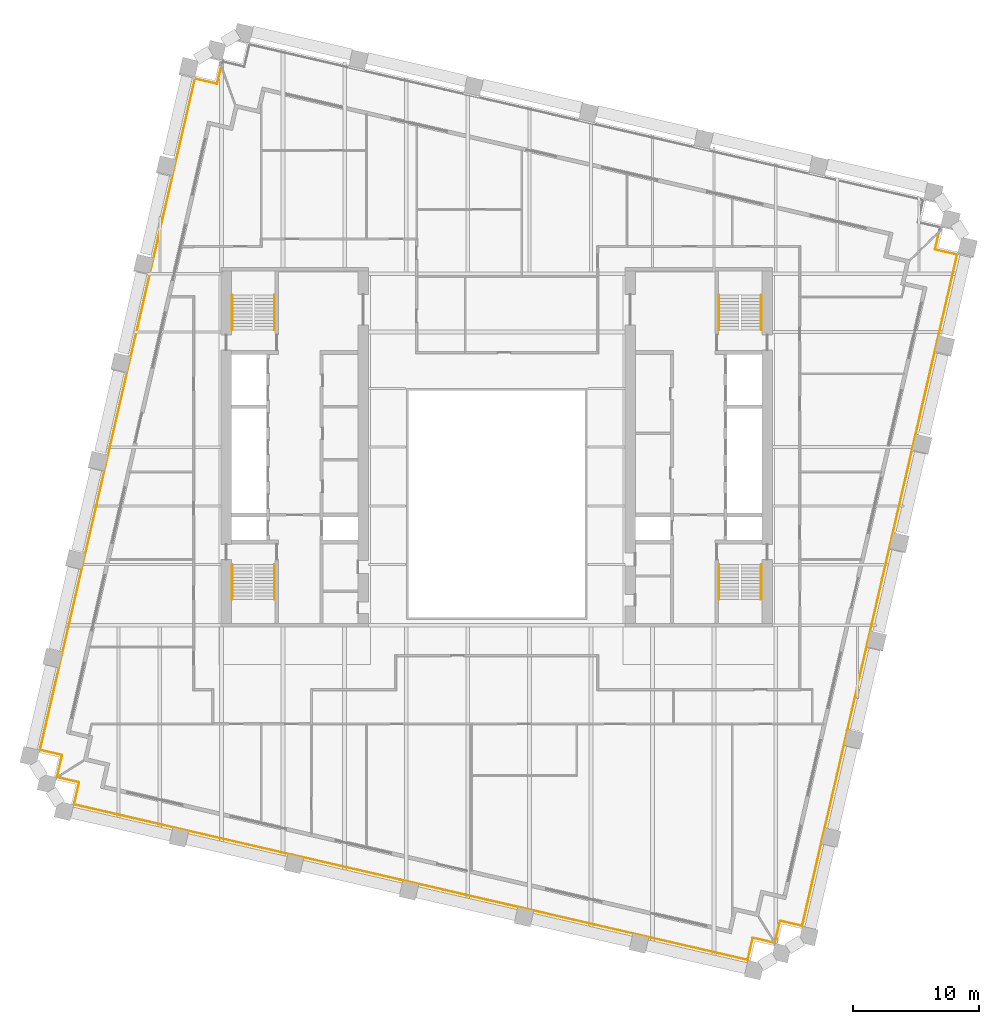
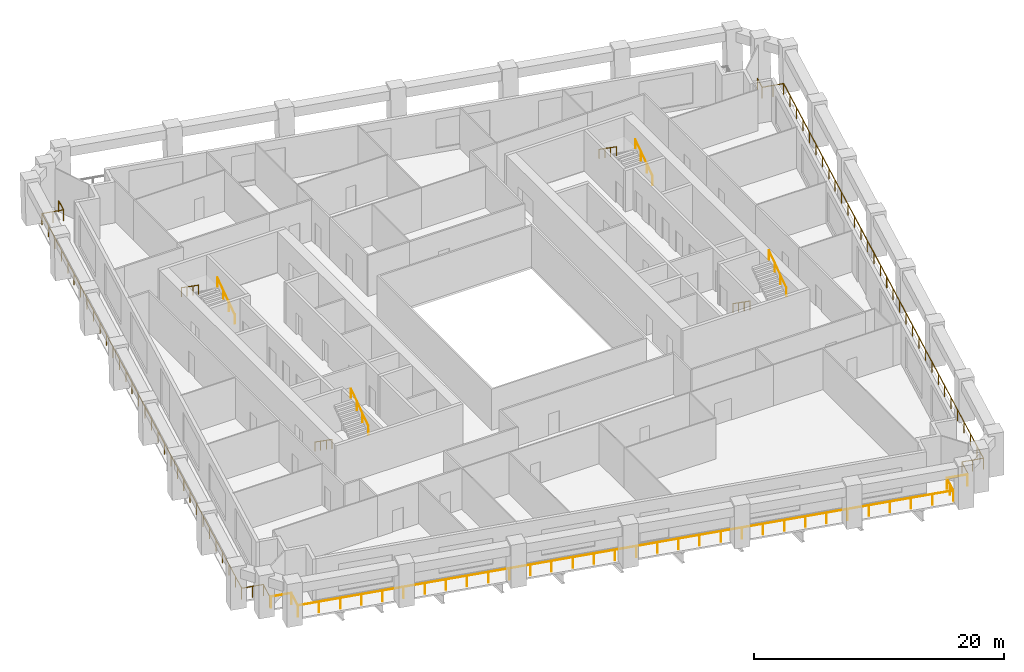
# One storey, part 9 of 10: 11 railings.
"""IFC4 building model written with IfcOpenShell, lengths in metres."""

from ifc_helpers import new_model, si_unit, direction, frame, origin, origin_2d, place, context, subcontext, project, spatial, circle, extrude, material, type_object, element, save


model = new_model("IFC4")

# Units and contexts
model_context = context("Model", 3, precision=1e-05, world=origin(), true_north=direction((0.0, 1.0)))
body_context = subcontext(model_context, "Body", "Model", "MODEL_VIEW")
ifc_project = project(units=[si_unit("LENGTHUNIT", "METRE"), si_unit("AREAUNIT", "SQUARE_METRE"), si_unit("VOLUMEUNIT", "CUBIC_METRE"), si_unit("PLANEANGLEUNIT", "RADIAN"), si_unit("MASSUNIT", "GRAM", prefix="KILO")], contexts=[model_context])

# Site, building, storey
site_placement = place(None, origin())
site = spatial("IfcSite", under=ifc_project, at=site_placement, CompositionType="ELEMENT")
building_placement = place(site_placement, origin())
building = spatial("IfcBuilding", under=site, at=building_placement, Name="Ogive Exchange Tower", CompositionType="ELEMENT")
storey_placement = place(building_placement, frame((0.0, 0.0, 114.0)))
storey = spatial("IfcBuildingStorey", under=building, at=storey_placement, Name="L24", CompositionType="ELEMENT", Elevation=114.0)

# Railings
ifc_material_1 = material(Name="Stainless steel 316", Category="steel")
railing_type_1 = type_object("IfcRailingType", Name="Guard 1100 stainless steel and glass", PredefinedType="GUARDRAIL", material=ifc_material_1)
railing_1_placement = place(storey_placement, frame((21.947265625, -27.74462890625, -0.050048828125)))
element("IfcRailing", 1, at=railing_1_placement, inside=storey, type_object=railing_type_1, Name="Loggia guard 1", PredefinedType="GUARDRAIL", context=body_context, shape_type="SweptSolid", body=[
    extrude(circle(Radius=0.02392578125, at=origin_2d()), frame((0.0, 0.0, 1.076171875), z_axis=(-0.974396013545, 0.224838628327, 0.0), x_axis=(-0.224838628327, -0.974396013545, 0.0)), (0.0, 0.0, 1.0), 1.7080078125),
    extrude(circle(Radius=0.02392578125, at=origin_2d()), frame((-1.664306640625, 0.384033203125, 1.076171875), z_axis=(-0.225008086135, -0.974356896201, 0.0), x_axis=(0.974356896201, -0.225008086135, 0.0)), (0.0, 0.0, 1.0), 1.800048828125),
    extrude(circle(Radius=0.02392578125, at=origin_2d()), frame((-2.0693359375, -1.369873046875, 1.076171875), z_axis=(-0.974368873975, 0.224956212247, 0.0), x_axis=(-0.224956212247, -0.974368873975, 0.0)), (0.0, 0.0, 1.0), 54.760009765625),
    extrude(circle(Radius=0.02392578125, at=origin_2d()), frame((-55.42578125, 10.94873046875, 1.076171875), z_axis=(0.22503782496, 0.974350028141, 0.0), x_axis=(-0.974350028141, 0.22503782496, 0.0)), (0.0, 0.0, 1.0), 1.7998046875),
    extrude(circle(Radius=0.02392578125, at=origin_2d()), frame((-55.020751953125, 12.702392578125, 1.076171875), z_axis=(-0.974364690374, 0.224974332206, 0.0), x_axis=(-0.224974332206, -0.974364690374, 0.0)), (0.0, 0.0, 1.0), 1.7080078125),
    extrude(circle(Radius=0.02099609375, at=origin_2d()), origin(), (0.0, 0.0, 1.0), 1.052001953125),
    extrude(circle(Radius=0.02099609375, at=origin_2d()), frame((-1.664306640625, 0.384033203125, 0.0)), (0.0, 0.0, 1.0), 1.052001953125),
    extrude(circle(Radius=0.02099609375, at=origin_2d()), frame((-1.86669921875, -0.492919921875, 0.0)), (0.0, 0.0, 1.0), 1.052001953125),
    extrude(circle(Radius=0.02099609375, at=origin_2d()), frame((-2.0693359375, -1.369873046875, 0.0)), (0.0, 0.0, 1.0), 1.052001953125),
    extrude(circle(Radius=0.02099609375, at=origin_2d()), frame((-3.79052734375, -0.972412109375, 0.0)), (0.0, 0.0, 1.0), 1.052001953125),
    extrude(circle(Radius=0.02099609375, at=origin_2d()), frame((-5.51171875, -0.5751953125, 0.0)), (0.0, 0.0, 1.0), 1.052001953125),
    extrude(circle(Radius=0.02099609375, at=origin_2d()), frame((-7.23291015625, -0.177734375, 0.0)), (0.0, 0.0, 1.0), 1.052001953125),
    extrude(circle(Radius=0.02099609375, at=origin_2d()), frame((-8.9541015625, 0.2197265625, 0.0)), (0.0, 0.0, 1.0), 1.052001953125),
    extrude(circle(Radius=0.02099609375, at=origin_2d()), frame((-10.67529296875, 0.616943359375, 0.0)), (0.0, 0.0, 1.0), 1.052001953125),
    extrude(circle(Radius=0.02099609375, at=origin_2d()), frame((-12.396484375, 1.014404296875, 0.0)), (0.0, 0.0, 1.0), 1.052001953125),
    extrude(circle(Radius=0.02099609375, at=origin_2d()), frame((-14.11767578125, 1.411865234375, 0.0)), (0.0, 0.0, 1.0), 1.052001953125),
    extrude(circle(Radius=0.02099609375, at=origin_2d()), frame((-15.838623046875, 1.80908203125, 0.0)), (0.0, 0.0, 1.0), 1.052001953125),
    extrude(circle(Radius=0.02099609375, at=origin_2d()), frame((-17.559814453125, 2.20654296875, 0.0)), (0.0, 0.0, 1.0), 1.052001953125),
    extrude(circle(Radius=0.02099609375, at=origin_2d()), frame((-19.281005859375, 2.603759765625, 0.0)), (0.0, 0.0, 1.0), 1.052001953125),
    extrude(circle(Radius=0.02099609375, at=origin_2d()), frame((-21.002197265625, 3.001220703125, 0.0)), (0.0, 0.0, 1.0), 1.052001953125),
    extrude(circle(Radius=0.02099609375, at=origin_2d()), frame((-22.723388671875, 3.398681640625, 0.0)), (0.0, 0.0, 1.0), 1.052001953125),
    extrude(circle(Radius=0.02099609375, at=origin_2d()), frame((-24.444580078125, 3.7958984375, 0.0)), (0.0, 0.0, 1.0), 1.052001953125),
    extrude(circle(Radius=0.02099609375, at=origin_2d()), frame((-26.165771484375, 4.193359375, 0.0)), (0.0, 0.0, 1.0), 1.052001953125),
    extrude(circle(Radius=0.02099609375, at=origin_2d()), frame((-27.886962890625, 4.5908203125, 0.0)), (0.0, 0.0, 1.0), 1.052001953125),
    extrude(circle(Radius=0.02099609375, at=origin_2d()), frame((-29.608154296875, 4.988037109375, 0.0)), (0.0, 0.0, 1.0), 1.052001953125),
    extrude(circle(Radius=0.02099609375, at=origin_2d()), frame((-31.329345703125, 5.385498046875, 0.0)), (0.0, 0.0, 1.0), 1.052001953125),
    extrude(circle(Radius=0.02099609375, at=origin_2d()), frame((-33.050537109375, 5.782958984375, 0.0)), (0.0, 0.0, 1.0), 1.052001953125),
    extrude(circle(Radius=0.02099609375, at=origin_2d()), frame((-34.771728515625, 6.18017578125, 0.0)), (0.0, 0.0, 1.0), 1.052001953125),
    extrude(circle(Radius=0.02099609375, at=origin_2d()), frame((-36.492919921875, 6.57763671875, 0.0)), (0.0, 0.0, 1.0), 1.052001953125),
    extrude(circle(Radius=0.02099609375, at=origin_2d()), frame((-38.214111328125, 6.97509765625, 0.0)), (0.0, 0.0, 1.0), 1.052001953125),
    extrude(circle(Radius=0.02099609375, at=origin_2d()), frame((-39.935302734375, 7.372314453125, 0.0)), (0.0, 0.0, 1.0), 1.052001953125),
    extrude(circle(Radius=0.02099609375, at=origin_2d()), frame((-41.656494140625, 7.769775390625, 0.0)), (0.0, 0.0, 1.0), 1.052001953125),
    extrude(circle(Radius=0.02099609375, at=origin_2d()), frame((-43.37744140625, 8.1669921875, 0.0)), (0.0, 0.0, 1.0), 1.052001953125),
    extrude(circle(Radius=0.02099609375, at=origin_2d()), frame((-45.0986328125, 8.564453125, 0.0)), (0.0, 0.0, 1.0), 1.052001953125),
    extrude(circle(Radius=0.02099609375, at=origin_2d()), frame((-46.81982421875, 8.9619140625, 0.0)), (0.0, 0.0, 1.0), 1.052001953125),
    extrude(circle(Radius=0.02099609375, at=origin_2d()), frame((-48.541015625, 9.359130859375, 0.0)), (0.0, 0.0, 1.0), 1.052001953125),
    extrude(circle(Radius=0.02099609375, at=origin_2d()), frame((-50.26220703125, 9.756591796875, 0.0)), (0.0, 0.0, 1.0), 1.052001953125),
    extrude(circle(Radius=0.02099609375, at=origin_2d()), frame((-51.9833984375, 10.154052734375, 0.0)), (0.0, 0.0, 1.0), 1.052001953125),
    extrude(circle(Radius=0.02099609375, at=origin_2d()), frame((-53.70458984375, 10.55126953125, 0.0)), (0.0, 0.0, 1.0), 1.052001953125),
    extrude(circle(Radius=0.02099609375, at=origin_2d()), frame((-55.42578125, 10.94873046875, 0.0)), (0.0, 0.0, 1.0), 1.052001953125),
    extrude(circle(Radius=0.02099609375, at=origin_2d()), frame((-55.020751953125, 12.702392578125, 0.0)), (0.0, 0.0, 1.0), 1.052001953125),
    extrude(circle(Radius=0.02099609375, at=origin_2d()), frame((-56.68505859375, 13.086669921875, 0.0)), (0.0, 0.0, 1.0), 1.052001953125),
])
railing_2_placement = place(storey_placement, frame((-34.806884765625, -14.547607421875, -0.050048828125)))
element("IfcRailing", 2, at=railing_2_placement, inside=storey, type_object=railing_type_1, Name="Loggia guard 2", PredefinedType="GUARDRAIL", context=body_context, shape_type="SweptSolid", body=[
    extrude(circle(Radius=0.02392578125, at=origin_2d()), frame((0.0, 0.0, 1.076171875), z_axis=(0.224974332206, 0.974364690374, 0.0), x_axis=(-0.974364690374, 0.224974332206, 0.0)), (0.0, 0.0, 1.0), 1.7080078125),
    extrude(circle(Radius=0.02392578125, at=origin_2d()), frame((0.38427734375, 1.664306640625, 1.076171875), z_axis=(-0.974386623598, 0.224879318197, 0.0), x_axis=(-0.224879318197, -0.974386623598, 0.0)), (0.0, 0.0, 1.0), 1.800048828125),
    extrude(circle(Radius=0.02392578125, at=origin_2d()), frame((-1.36962890625, 2.069091796875, 1.076171875), z_axis=(0.224951649547, 0.974369927372, 0.0), x_axis=(-0.974369927372, 0.224951649547, 0.0)), (0.0, 0.0, 1.0), 54.569091796875),
    extrude(circle(Radius=0.02392578125, at=origin_2d()), frame((10.90576171875, 55.239501953125, 1.076171875), z_axis=(0.974386623598, -0.224879318197, 0.0), x_axis=(0.224879318197, 0.974386623598, 0.0)), (0.0, 0.0, 1.0), 1.800048828125),
    extrude(circle(Radius=0.02392578125, at=origin_2d()), frame((12.65966796875, 54.834716796875, 1.076171875), z_axis=(0.225022218484, 0.974353632512, 0.0), x_axis=(-0.974353632512, 0.225022218484, 0.0)), (0.0, 0.0, 1.0), 1.31494140625),
    extrude(circle(Radius=0.02099609375, at=origin_2d()), origin(), (0.0, 0.0, 1.0), 1.052001953125),
    extrude(circle(Radius=0.02099609375, at=origin_2d()), frame((0.38427734375, 1.664306640625, 0.0)), (0.0, 0.0, 1.0), 1.052001953125),
    extrude(circle(Radius=0.02099609375, at=origin_2d()), frame((-0.49267578125, 1.86669921875, 0.0)), (0.0, 0.0, 1.0), 1.052001953125),
    extrude(circle(Radius=0.02099609375, at=origin_2d()), frame((-1.36962890625, 2.069091796875, 0.0)), (0.0, 0.0, 1.0), 1.052001953125),
    extrude(circle(Radius=0.02099609375, at=origin_2d()), frame((-0.9736328125, 3.7841796875, 0.0)), (0.0, 0.0, 1.0), 1.052001953125),
    extrude(circle(Radius=0.02099609375, at=origin_2d()), frame((-0.57763671875, 5.49951171875, 0.0)), (0.0, 0.0, 1.0), 1.052001953125),
    extrude(circle(Radius=0.02099609375, at=origin_2d()), frame((-0.181640625, 7.214599609375, 0.0)), (0.0, 0.0, 1.0), 1.052001953125),
    extrude(circle(Radius=0.02099609375, at=origin_2d()), frame((0.21435546875, 8.9296875, 0.0)), (0.0, 0.0, 1.0), 1.052001953125),
    extrude(circle(Radius=0.02099609375, at=origin_2d()), frame((0.6103515625, 10.64501953125, 0.0)), (0.0, 0.0, 1.0), 1.052001953125),
    extrude(circle(Radius=0.02099609375, at=origin_2d()), frame((1.00634765625, 12.360107421875, 0.0)), (0.0, 0.0, 1.0), 1.052001953125),
    extrude(circle(Radius=0.02099609375, at=origin_2d()), frame((1.40234375, 14.0751953125, 0.0)), (0.0, 0.0, 1.0), 1.052001953125),
    extrude(circle(Radius=0.02099609375, at=origin_2d()), frame((1.798095703125, 15.79052734375, 0.0)), (0.0, 0.0, 1.0), 1.052001953125),
    extrude(circle(Radius=0.02099609375, at=origin_2d()), frame((2.194091796875, 17.505615234375, 0.0)), (0.0, 0.0, 1.0), 1.052001953125),
    extrude(circle(Radius=0.02099609375, at=origin_2d()), frame((2.590087890625, 19.220947265625, 0.0)), (0.0, 0.0, 1.0), 1.052001953125),
    extrude(circle(Radius=0.02099609375, at=origin_2d()), frame((2.986083984375, 20.93603515625, 0.0)), (0.0, 0.0, 1.0), 1.052001953125),
    extrude(circle(Radius=0.02099609375, at=origin_2d()), frame((3.382080078125, 22.651123046875, 0.0)), (0.0, 0.0, 1.0), 1.052001953125),
    extrude(circle(Radius=0.02099609375, at=origin_2d()), frame((3.778076171875, 24.366455078125, 0.0)), (0.0, 0.0, 1.0), 1.052001953125),
    extrude(circle(Radius=0.02099609375, at=origin_2d()), frame((4.174072265625, 26.08154296875, 0.0)), (0.0, 0.0, 1.0), 1.052001953125),
    extrude(circle(Radius=0.02099609375, at=origin_2d()), frame((4.570068359375, 27.796630859375, 0.0)), (0.0, 0.0, 1.0), 1.052001953125),
    extrude(circle(Radius=0.02099609375, at=origin_2d()), frame((4.966064453125, 29.511962890625, 0.0)), (0.0, 0.0, 1.0), 1.052001953125),
    extrude(circle(Radius=0.02099609375, at=origin_2d()), frame((5.362060546875, 31.22705078125, 0.0)), (0.0, 0.0, 1.0), 1.052001953125),
    extrude(circle(Radius=0.02099609375, at=origin_2d()), frame((5.758056640625, 32.942138671875, 0.0)), (0.0, 0.0, 1.0), 1.052001953125),
    extrude(circle(Radius=0.02099609375, at=origin_2d()), frame((6.154052734375, 34.657470703125, 0.0)), (0.0, 0.0, 1.0), 1.052001953125),
    extrude(circle(Radius=0.02099609375, at=origin_2d()), frame((6.550048828125, 36.37255859375, 0.0)), (0.0, 0.0, 1.0), 1.052001953125),
    extrude(circle(Radius=0.02099609375, at=origin_2d()), frame((6.946044921875, 38.087646484375, 0.0)), (0.0, 0.0, 1.0), 1.052001953125),
    extrude(circle(Radius=0.02099609375, at=origin_2d()), frame((7.342041015625, 39.802978515625, 0.0)), (0.0, 0.0, 1.0), 1.052001953125),
    extrude(circle(Radius=0.02099609375, at=origin_2d()), frame((7.738037109375, 41.51806640625, 0.0)), (0.0, 0.0, 1.0), 1.052001953125),
    extrude(circle(Radius=0.02099609375, at=origin_2d()), frame((8.1337890625, 43.2333984375, 0.0)), (0.0, 0.0, 1.0), 1.052001953125),
    extrude(circle(Radius=0.02099609375, at=origin_2d()), frame((8.52978515625, 44.948486328125, 0.0)), (0.0, 0.0, 1.0), 1.052001953125),
    extrude(circle(Radius=0.02099609375, at=origin_2d()), frame((8.92578125, 46.66357421875, 0.0)), (0.0, 0.0, 1.0), 1.052001953125),
    extrude(circle(Radius=0.02099609375, at=origin_2d()), frame((9.32177734375, 48.37890625, 0.0)), (0.0, 0.0, 1.0), 1.052001953125),
    extrude(circle(Radius=0.02099609375, at=origin_2d()), frame((9.7177734375, 50.093994140625, 0.0)), (0.0, 0.0, 1.0), 1.052001953125),
    extrude(circle(Radius=0.02099609375, at=origin_2d()), frame((10.11376953125, 51.80908203125, 0.0)), (0.0, 0.0, 1.0), 1.052001953125),
    extrude(circle(Radius=0.02099609375, at=origin_2d()), frame((10.509765625, 53.5244140625, 0.0)), (0.0, 0.0, 1.0), 1.052001953125),
    extrude(circle(Radius=0.02099609375, at=origin_2d()), frame((10.90576171875, 55.239501953125, 0.0)), (0.0, 0.0, 1.0), 1.052001953125),
    extrude(circle(Radius=0.02099609375, at=origin_2d()), frame((11.78271484375, 55.037109375, 0.0)), (0.0, 0.0, 1.0), 1.052001953125),
    extrude(circle(Radius=0.02099609375, at=origin_2d()), frame((12.65966796875, 54.834716796875, 0.0)), (0.0, 0.0, 1.0), 1.052001953125),
    extrude(circle(Radius=0.02099609375, at=origin_2d()), frame((12.95556640625, 56.115966796875, 0.0)), (0.0, 0.0, 1.0), 1.052001953125),
])
railing_3_placement = place(storey_placement, frame((35.0126953125, 28.440185546875, -0.050048828125)))
element("IfcRailing", 3, at=railing_3_placement, inside=storey, type_object=railing_type_1, Name="Loggia guard 4", PredefinedType="GUARDRAIL", context=body_context, shape_type="SweptSolid", body=[
    extrude(circle(Radius=0.02392578125, at=origin_2d()), frame((0.0, 0.0, 1.076171875), z_axis=(-0.224845946534, -0.974394324864, 0.0), x_axis=(0.974394324864, -0.224845946534, 0.0)), (0.0, 0.0, 1.0), 1.31494140625),
    extrude(circle(Radius=0.02392578125, at=origin_2d()), frame((-0.295654296875, -1.28125, 1.076171875), z_axis=(0.974356896201, -0.225008086135, 0.0), x_axis=(0.225008086135, 0.974356896201, 0.0)), (0.0, 0.0, 1.0), 1.800048828125),
    extrude(circle(Radius=0.02392578125, at=origin_2d()), frame((1.458251953125, -1.686279296875, 1.076171875), z_axis=(-0.224951649547, -0.974369927372, 0.0), x_axis=(0.974369927372, -0.224951649547, 0.0)), (0.0, 0.0, 1.0), 54.569091796875),
    extrude(circle(Radius=0.02392578125, at=origin_2d()), frame((-10.817138671875, -54.856689453125, 1.076171875), z_axis=(-0.974356896201, 0.225008086135, 0.0), x_axis=(-0.225008086135, -0.974356896201, 0.0)), (0.0, 0.0, 1.0), 1.800048828125),
    extrude(circle(Radius=0.02392578125, at=origin_2d()), frame((-12.571044921875, -54.45166015625, 1.076171875), z_axis=(-0.224974332206, -0.974364690374, 0.0), x_axis=(0.974364690374, -0.224974332206, 0.0)), (0.0, 0.0, 1.0), 1.7080078125),
    extrude(circle(Radius=0.02099609375, at=origin_2d()), origin(), (0.0, 0.0, 1.0), 1.052001953125),
    extrude(circle(Radius=0.02099609375, at=origin_2d()), frame((-0.295654296875, -1.28125, 0.0)), (0.0, 0.0, 1.0), 1.052001953125),
    extrude(circle(Radius=0.02099609375, at=origin_2d()), frame((0.581298828125, -1.48388671875, 0.0)), (0.0, 0.0, 1.0), 1.052001953125),
    extrude(circle(Radius=0.02099609375, at=origin_2d()), frame((1.458251953125, -1.686279296875, 0.0)), (0.0, 0.0, 1.0), 1.052001953125),
    extrude(circle(Radius=0.02099609375, at=origin_2d()), frame((1.062255859375, -3.4013671875, 0.0)), (0.0, 0.0, 1.0), 1.052001953125),
    extrude(circle(Radius=0.02099609375, at=origin_2d()), frame((0.666259765625, -5.11669921875, 0.0)), (0.0, 0.0, 1.0), 1.052001953125),
    extrude(circle(Radius=0.02099609375, at=origin_2d()), frame((0.270263671875, -6.831787109375, 0.0)), (0.0, 0.0, 1.0), 1.052001953125),
    extrude(circle(Radius=0.02099609375, at=origin_2d()), frame((-0.125732421875, -8.546875, 0.0)), (0.0, 0.0, 1.0), 1.052001953125),
    extrude(circle(Radius=0.02099609375, at=origin_2d()), frame((-0.521728515625, -10.26220703125, 0.0)), (0.0, 0.0, 1.0), 1.052001953125),
    extrude(circle(Radius=0.02099609375, at=origin_2d()), frame((-0.917724609375, -11.977294921875, 0.0)), (0.0, 0.0, 1.0), 1.052001953125),
    extrude(circle(Radius=0.02099609375, at=origin_2d()), frame((-1.313720703125, -13.6923828125, 0.0)), (0.0, 0.0, 1.0), 1.052001953125),
    extrude(circle(Radius=0.02099609375, at=origin_2d()), frame((-1.70947265625, -15.40771484375, 0.0)), (0.0, 0.0, 1.0), 1.052001953125),
    extrude(circle(Radius=0.02099609375, at=origin_2d()), frame((-2.10546875, -17.122802734375, 0.0)), (0.0, 0.0, 1.0), 1.052001953125),
    extrude(circle(Radius=0.02099609375, at=origin_2d()), frame((-2.50146484375, -18.838134765625, 0.0)), (0.0, 0.0, 1.0), 1.052001953125),
    extrude(circle(Radius=0.02099609375, at=origin_2d()), frame((-2.8974609375, -20.55322265625, 0.0)), (0.0, 0.0, 1.0), 1.052001953125),
    extrude(circle(Radius=0.02099609375, at=origin_2d()), frame((-3.29345703125, -22.268310546875, 0.0)), (0.0, 0.0, 1.0), 1.052001953125),
    extrude(circle(Radius=0.02099609375, at=origin_2d()), frame((-3.689453125, -23.983642578125, 0.0)), (0.0, 0.0, 1.0), 1.052001953125),
    extrude(circle(Radius=0.02099609375, at=origin_2d()), frame((-4.08544921875, -25.69873046875, 0.0)), (0.0, 0.0, 1.0), 1.052001953125),
    extrude(circle(Radius=0.02099609375, at=origin_2d()), frame((-4.4814453125, -27.413818359375, 0.0)), (0.0, 0.0, 1.0), 1.052001953125),
    extrude(circle(Radius=0.02099609375, at=origin_2d()), frame((-4.87744140625, -29.129150390625, 0.0)), (0.0, 0.0, 1.0), 1.052001953125),
    extrude(circle(Radius=0.02099609375, at=origin_2d()), frame((-5.2734375, -30.84423828125, 0.0)), (0.0, 0.0, 1.0), 1.052001953125),
    extrude(circle(Radius=0.02099609375, at=origin_2d()), frame((-5.66943359375, -32.559326171875, 0.0)), (0.0, 0.0, 1.0), 1.052001953125),
    extrude(circle(Radius=0.02099609375, at=origin_2d()), frame((-6.0654296875, -34.274658203125, 0.0)), (0.0, 0.0, 1.0), 1.052001953125),
    extrude(circle(Radius=0.02099609375, at=origin_2d()), frame((-6.46142578125, -35.98974609375, 0.0)), (0.0, 0.0, 1.0), 1.052001953125),
    extrude(circle(Radius=0.02099609375, at=origin_2d()), frame((-6.857421875, -37.704833984375, 0.0)), (0.0, 0.0, 1.0), 1.052001953125),
    extrude(circle(Radius=0.02099609375, at=origin_2d()), frame((-7.25341796875, -39.420166015625, 0.0)), (0.0, 0.0, 1.0), 1.052001953125),
    extrude(circle(Radius=0.02099609375, at=origin_2d()), frame((-7.6494140625, -41.13525390625, 0.0)), (0.0, 0.0, 1.0), 1.052001953125),
    extrude(circle(Radius=0.02099609375, at=origin_2d()), frame((-8.045166015625, -42.8505859375, 0.0)), (0.0, 0.0, 1.0), 1.052001953125),
    extrude(circle(Radius=0.02099609375, at=origin_2d()), frame((-8.441162109375, -44.565673828125, 0.0)), (0.0, 0.0, 1.0), 1.052001953125),
    extrude(circle(Radius=0.02099609375, at=origin_2d()), frame((-8.837158203125, -46.28076171875, 0.0)), (0.0, 0.0, 1.0), 1.052001953125),
    extrude(circle(Radius=0.02099609375, at=origin_2d()), frame((-9.233154296875, -47.99609375, 0.0)), (0.0, 0.0, 1.0), 1.052001953125),
    extrude(circle(Radius=0.02099609375, at=origin_2d()), frame((-9.629150390625, -49.711181640625, 0.0)), (0.0, 0.0, 1.0), 1.052001953125),
    extrude(circle(Radius=0.02099609375, at=origin_2d()), frame((-10.025146484375, -51.42626953125, 0.0)), (0.0, 0.0, 1.0), 1.052001953125),
    extrude(circle(Radius=0.02099609375, at=origin_2d()), frame((-10.421142578125, -53.1416015625, 0.0)), (0.0, 0.0, 1.0), 1.052001953125),
    extrude(circle(Radius=0.02099609375, at=origin_2d()), frame((-10.817138671875, -54.856689453125, 0.0)), (0.0, 0.0, 1.0), 1.052001953125),
    extrude(circle(Radius=0.02099609375, at=origin_2d()), frame((-11.694091796875, -54.654296875, 0.0)), (0.0, 0.0, 1.0), 1.052001953125),
    extrude(circle(Radius=0.02099609375, at=origin_2d()), frame((-12.571044921875, -54.45166015625, 0.0)), (0.0, 0.0, 1.0), 1.052001953125),
    extrude(circle(Radius=0.02099609375, at=origin_2d()), frame((-12.955322265625, -56.115966796875, 0.0)), (0.0, 0.0, 1.0), 1.052001953125),
])
ifc_material_2 = material(Name="Stainless steel", Category="steel")
railing_type_2 = type_object("IfcRailingType", Name="Stair handrail 900", PredefinedType="HANDRAIL", material=ifc_material_2)
railing_4_placement = place(storey_placement, frame((-20.949951171875, 2.199951171875, 0.175048828125)))
element("IfcRailing", 4, at=railing_4_placement, inside=storey, type_object=railing_type_2, Name="L24 ST1 stair handrail 1", PredefinedType="HANDRAIL", context=body_context, shape_type="SweptSolid", body=[
    extrude(circle(Radius=0.02392578125, at=origin_2d()), frame((0.0, 0.0, 0.8759765625), z_axis=(0.0, -0.819225086817, 0.573472106672), x_axis=(1.0, 0.0, 0.0)), (0.0, 0.0, 1.0), 3.35693359375),
    extrude(circle(Radius=0.02099609375, at=origin_2d()), origin(), (0.0, 0.0, 1.0), 0.851806640625),
    extrude(circle(Radius=0.02099609375, at=origin_2d()), frame((0.0, -0.916748046875, 0.6416015625)), (0.0, 0.0, 1.0), 0.851806640625),
    extrude(circle(Radius=0.02099609375, at=origin_2d()), frame((0.0, -1.833251953125, 1.283447265625)), (0.0, 0.0, 1.0), 0.851806640625),
    extrude(circle(Radius=0.02099609375, at=origin_2d()), frame((0.0, -2.75, 1.925048828125)), (0.0, 0.0, 1.0), 0.851806640625),
])
for number, where, name in (
    (5, (-17.60009765625, -0.550048828125, 2.27490234375), "L24 ST1 stair handrail 2"),
    (6, (-17.60009765625, 20.800048828125, 0.175048828125), "L24 ST2 stair handrail 1"),
):
    element("IfcRailing", number, at=place(storey_placement, frame(where)), inside=storey, type_object=railing_type_2, Name=name, PredefinedType="HANDRAIL", context=body_context, shape_type="SweptSolid", body=[
        extrude(circle(Radius=0.02392578125, at=origin_2d()), frame((0.0, 0.0, 0.8759765625), z_axis=(0.0, 0.819225086817, 0.573472106672), x_axis=(-1.0, 0.0, 0.0)), (0.0, 0.0, 1.0), 3.35693359375),
        extrude(circle(Radius=0.02099609375, at=origin_2d()), origin(), (0.0, 0.0, 1.0), 0.851806640625),
        extrude(circle(Radius=0.02099609375, at=origin_2d()), frame((0.0, 0.916748046875, 0.6416015625)), (0.0, 0.0, 1.0), 0.851806640625),
        extrude(circle(Radius=0.02099609375, at=origin_2d()), frame((0.0, 1.833251953125, 1.283447265625)), (0.0, 0.0, 1.0), 0.851806640625),
        extrude(circle(Radius=0.02099609375, at=origin_2d()), frame((0.0, 2.75, 1.925048828125)), (0.0, 0.0, 1.0), 0.851806640625),
    ])
for number, where, name in (
    (7, (-20.949951171875, 23.550048828125, 2.27490234375), "L24 ST2 stair handrail 2"),
    (8, (17.60009765625, 2.199951171875, 0.175048828125), "L24 ST3 stair handrail 1"),
):
    element("IfcRailing", number, at=place(storey_placement, frame(where)), inside=storey, type_object=railing_type_2, Name=name, PredefinedType="HANDRAIL", context=body_context, shape_type="SweptSolid", body=[
        extrude(circle(Radius=0.02392578125, at=origin_2d()), frame((0.0, 0.0, 0.8759765625), z_axis=(0.0, -0.819225086817, 0.573472106672), x_axis=(1.0, 0.0, 0.0)), (0.0, 0.0, 1.0), 3.35693359375),
        extrude(circle(Radius=0.02099609375, at=origin_2d()), origin(), (0.0, 0.0, 1.0), 0.851806640625),
        extrude(circle(Radius=0.02099609375, at=origin_2d()), frame((0.0, -0.916748046875, 0.6416015625)), (0.0, 0.0, 1.0), 0.851806640625),
        extrude(circle(Radius=0.02099609375, at=origin_2d()), frame((0.0, -1.833251953125, 1.283447265625)), (0.0, 0.0, 1.0), 0.851806640625),
        extrude(circle(Radius=0.02099609375, at=origin_2d()), frame((0.0, -2.75, 1.925048828125)), (0.0, 0.0, 1.0), 0.851806640625),
    ])
for number, where, name in (
    (9, (20.949951171875, -0.550048828125, 2.27490234375), "L24 ST3 stair handrail 2"),
    (10, (20.949951171875, 20.800048828125, 0.175048828125), "L24 ST4 stair handrail 1"),
):
    element("IfcRailing", number, at=place(storey_placement, frame(where)), inside=storey, type_object=railing_type_2, Name=name, PredefinedType="HANDRAIL", context=body_context, shape_type="SweptSolid", body=[
        extrude(circle(Radius=0.02392578125, at=origin_2d()), frame((0.0, 0.0, 0.8759765625), z_axis=(0.0, 0.819225086817, 0.573472106672), x_axis=(-1.0, 0.0, 0.0)), (0.0, 0.0, 1.0), 3.35693359375),
        extrude(circle(Radius=0.02099609375, at=origin_2d()), origin(), (0.0, 0.0, 1.0), 0.851806640625),
        extrude(circle(Radius=0.02099609375, at=origin_2d()), frame((0.0, 0.916748046875, 0.6416015625)), (0.0, 0.0, 1.0), 0.851806640625),
        extrude(circle(Radius=0.02099609375, at=origin_2d()), frame((0.0, 1.833251953125, 1.283447265625)), (0.0, 0.0, 1.0), 0.851806640625),
        extrude(circle(Radius=0.02099609375, at=origin_2d()), frame((0.0, 2.75, 1.925048828125)), (0.0, 0.0, 1.0), 0.851806640625),
    ])
railing_5_placement = place(storey_placement, frame((17.60009765625, 23.550048828125, 2.27490234375)))
element("IfcRailing", 11, at=railing_5_placement, inside=storey, type_object=railing_type_2, Name="L24 ST4 stair handrail 2", PredefinedType="HANDRAIL", context=body_context, shape_type="SweptSolid", body=[
    extrude(circle(Radius=0.02392578125, at=origin_2d()), frame((0.0, 0.0, 0.8759765625), z_axis=(0.0, -0.819225086817, 0.573472106672), x_axis=(1.0, 0.0, 0.0)), (0.0, 0.0, 1.0), 3.35693359375),
    extrude(circle(Radius=0.02099609375, at=origin_2d()), origin(), (0.0, 0.0, 1.0), 0.851806640625),
    extrude(circle(Radius=0.02099609375, at=origin_2d()), frame((0.0, -0.916748046875, 0.6416015625)), (0.0, 0.0, 1.0), 0.851806640625),
    extrude(circle(Radius=0.02099609375, at=origin_2d()), frame((0.0, -1.833251953125, 1.283447265625)), (0.0, 0.0, 1.0), 0.851806640625),
    extrude(circle(Radius=0.02099609375, at=origin_2d()), frame((0.0, -2.75, 1.925048828125)), (0.0, 0.0, 1.0), 0.851806640625),
])

save(model, "model.ifc")
